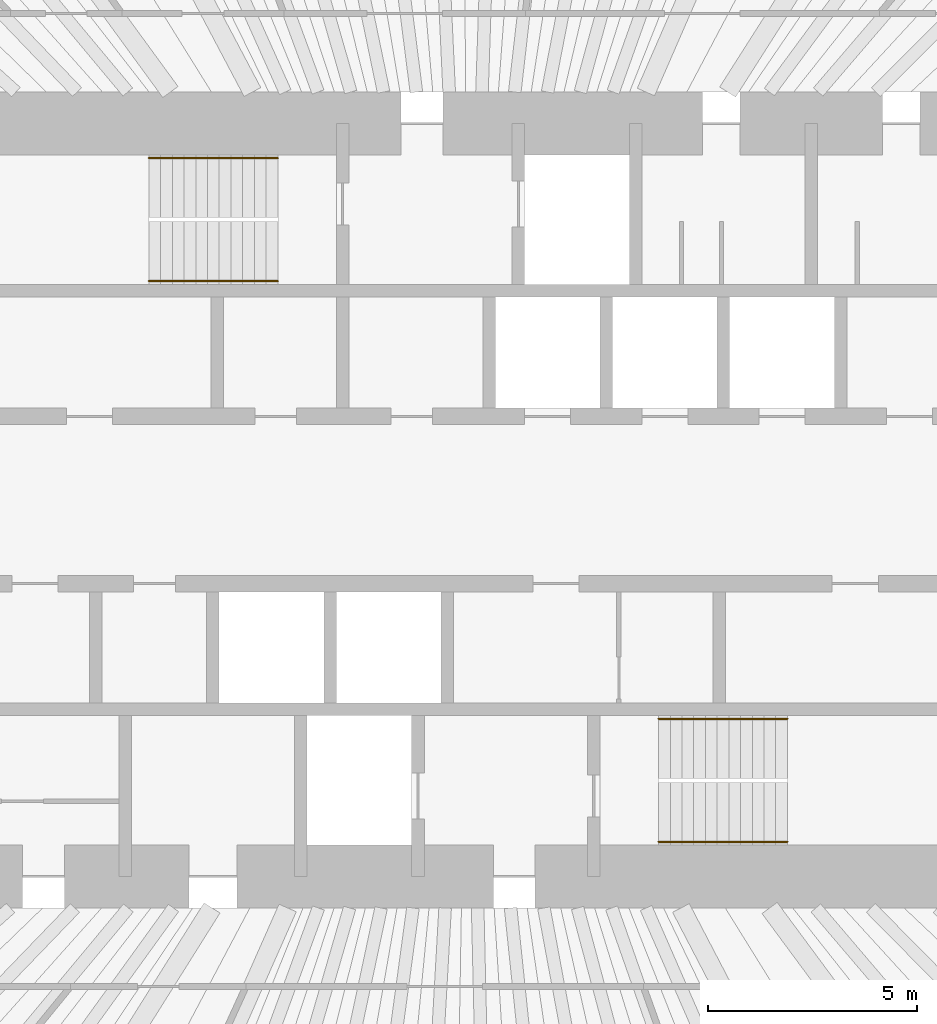
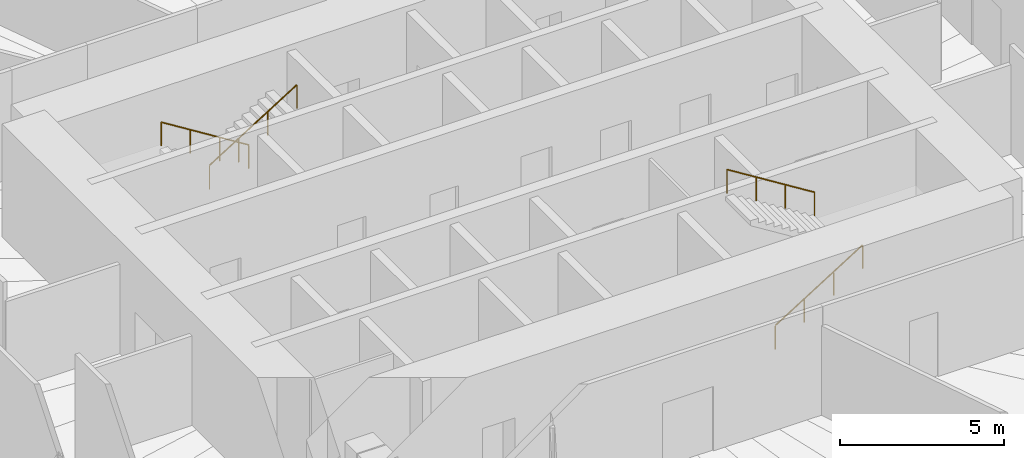
# One storey, part 13 of 13: 4 railings.
"""IFC4 building model written with IfcOpenShell, lengths in metres."""

from ifc_helpers import new_model, si_unit, direction, frame, origin, origin_2d, place, context, subcontext, project, spatial, circle, extrude, material, type_object, element, save


model = new_model("IFC4")

# Units and contexts
model_context = context("Model", 3, precision=1e-05, world=origin(), true_north=direction((0.0, 1.0)))
body_context = subcontext(model_context, "Body", "Model", "MODEL_VIEW")
ifc_project = project(units=[si_unit("LENGTHUNIT", "METRE"), si_unit("AREAUNIT", "SQUARE_METRE"), si_unit("VOLUMEUNIT", "CUBIC_METRE"), si_unit("PLANEANGLEUNIT", "RADIAN"), si_unit("MASSUNIT", "GRAM", prefix="KILO")], contexts=[model_context])

# Site, building, storey
site_placement = place(None, origin())
site = spatial("IfcSite", under=ifc_project, at=site_placement, CompositionType="ELEMENT")
building_placement = place(site_placement, origin())
building = spatial("IfcBuilding", under=site, at=building_placement, Name="Qingtian Harvest Tower", CompositionType="ELEMENT")
storey_placement = place(building_placement, frame((0.0, 0.0, 153.39990234375)))
storey = spatial("IfcBuildingStorey", under=building, at=storey_placement, Name="L32", CompositionType="ELEMENT", Elevation=153.39990234375)

# Railings
ifc_material = material(Name="Stainless steel handrail", Category="steel")
railing_type = type_object("IfcRailingType", Name="Handrail HR1", PredefinedType="HANDRAIL", material=ifc_material)
railing_1_placement = place(storey_placement, frame((-4.550048828125, 8.169921875, 0.175048828125)))
element("IfcRailing", 1, at=railing_1_placement, inside=storey, type_object=railing_type, Name="Handrail HR1 S1 flight 1", PredefinedType="HANDRAIL", context=body_context, shape_type="SweptSolid", body=[
    extrude(circle(Radius=0.02392578125, at=origin_2d()), frame((0.0, 0.0, 0.8759765625), z_axis=(-0.847979421464, 0.0, 0.530029150871), x_axis=(0.0, -1.0, 0.0)), (0.0, 0.0, 1.0), 3.632080078125),
    extrude(circle(Radius=0.02099609375, at=origin_2d()), origin(), (0.0, 0.0, 1.0), 0.851806640625),
    extrude(circle(Radius=0.02099609375, at=origin_2d()), frame((-1.026611328125, 0.0, 0.6416015625)), (0.0, 0.0, 1.0), 0.851806640625),
    extrude(circle(Radius=0.02099609375, at=origin_2d()), frame((-2.05322265625, 0.0, 1.283447265625)), (0.0, 0.0, 1.0), 0.851806640625),
    extrude(circle(Radius=0.02099609375, at=origin_2d()), frame((-3.079833984375, 0.0, 1.925048828125)), (0.0, 0.0, 1.0), 0.851806640625),
])
for number, where, name in (
    (2, (-7.6298828125, 5.22998046875, 2.275146484375), "Handrail HR1 S1 flight 2"),
    (3, (4.550048828125, -8.169921875, 0.175048828125), "Handrail HR1 S2 flight 1"),
):
    element("IfcRailing", number, at=place(storey_placement, frame(where)), inside=storey, type_object=railing_type, Name=name, PredefinedType="HANDRAIL", context=body_context, shape_type="SweptSolid", body=[
        extrude(circle(Radius=0.02392578125, at=origin_2d()), frame((0.0, 0.0, 0.8759765625), z_axis=(0.847979421464, 0.0, 0.530029150871), x_axis=(0.0, 1.0, 0.0)), (0.0, 0.0, 1.0), 3.632080078125),
        extrude(circle(Radius=0.02099609375, at=origin_2d()), origin(), (0.0, 0.0, 1.0), 0.851806640625),
        extrude(circle(Radius=0.02099609375, at=origin_2d()), frame((1.026611328125, 0.0, 0.6416015625)), (0.0, 0.0, 1.0), 0.851806640625),
        extrude(circle(Radius=0.02099609375, at=origin_2d()), frame((2.05322265625, 0.0, 1.283447265625)), (0.0, 0.0, 1.0), 0.851806640625),
        extrude(circle(Radius=0.02099609375, at=origin_2d()), frame((3.079833984375, 0.0, 1.925048828125)), (0.0, 0.0, 1.0), 0.851806640625),
    ])
railing_2_placement = place(storey_placement, frame((7.6298828125, -5.22998046875, 2.275146484375)))
element("IfcRailing", 4, at=railing_2_placement, inside=storey, type_object=railing_type, Name="Handrail HR1 S2 flight 2", PredefinedType="HANDRAIL", context=body_context, shape_type="SweptSolid", body=[
    extrude(circle(Radius=0.02392578125, at=origin_2d()), frame((0.0, 0.0, 0.8759765625), z_axis=(-0.847979421464, 0.0, 0.530029150871), x_axis=(0.0, -1.0, 0.0)), (0.0, 0.0, 1.0), 3.632080078125),
    extrude(circle(Radius=0.02099609375, at=origin_2d()), origin(), (0.0, 0.0, 1.0), 0.851806640625),
    extrude(circle(Radius=0.02099609375, at=origin_2d()), frame((-1.026611328125, 0.0, 0.6416015625)), (0.0, 0.0, 1.0), 0.851806640625),
    extrude(circle(Radius=0.02099609375, at=origin_2d()), frame((-2.05322265625, 0.0, 1.283447265625)), (0.0, 0.0, 1.0), 0.851806640625),
    extrude(circle(Radius=0.02099609375, at=origin_2d()), frame((-3.079833984375, 0.0, 1.925048828125)), (0.0, 0.0, 1.0), 0.851806640625),
])

save(model, "model.ifc")
